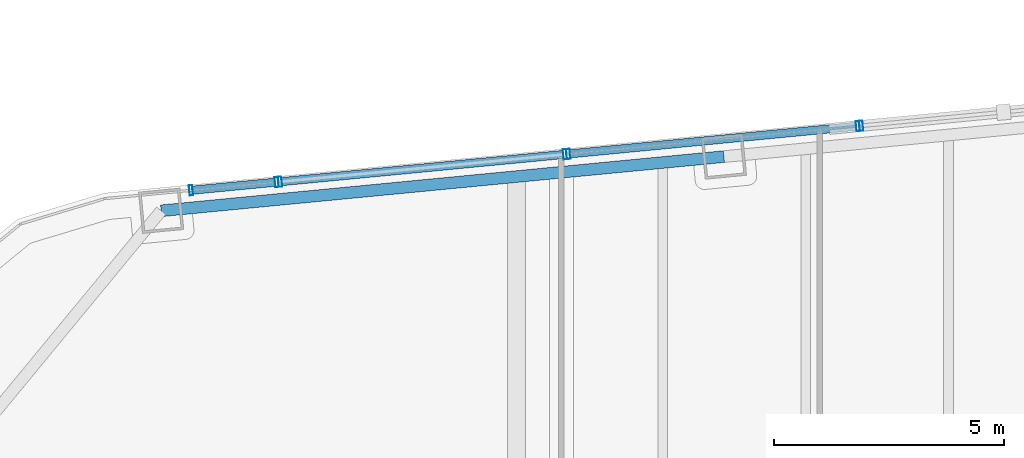
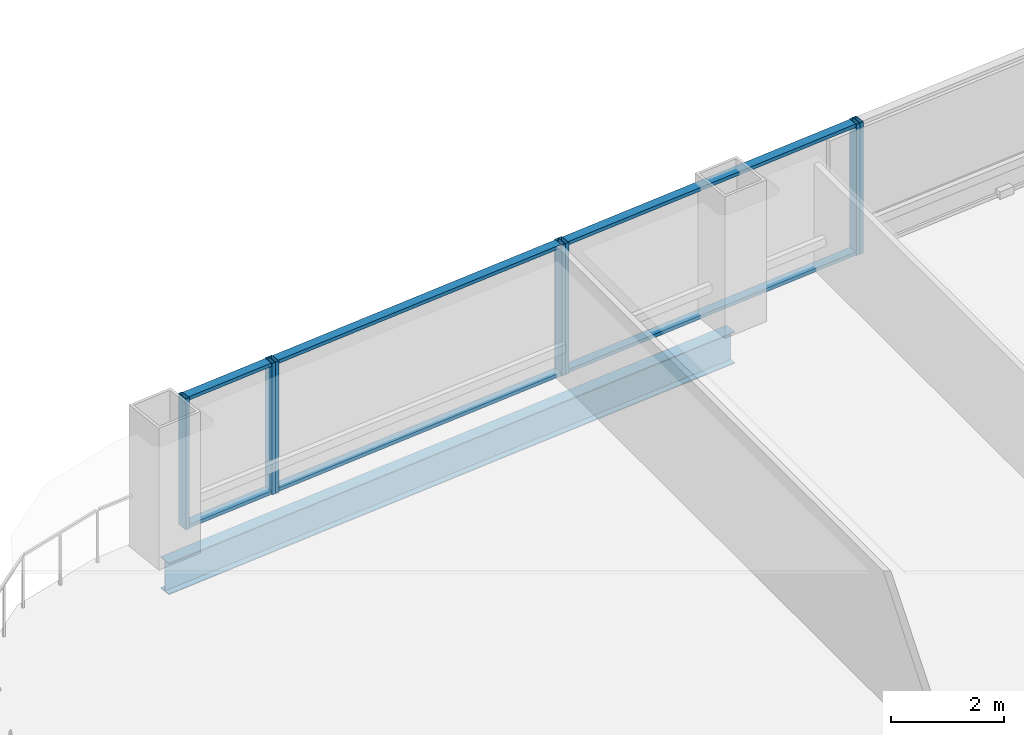
# One storey, part 22 of 34: 13 members, 1 beam, 4 elements without a shape of their own.
"""IFC4 building model written with IfcOpenShell, lengths in metres."""

from ifc_helpers import new_model, si_unit, direction, frame, origin, origin_2d, place, context, subcontext, project, spatial, hollow_rectangle, i_section, extrude, material, layer, layer_set, material_profile, profile_set, type_object, element, aggregate, save


model = new_model("IFC4")

# Units and contexts
model_context = context("Model", 3, precision=1e-05, world=origin(), true_north=direction((0.0, 1.0)))
body_context = subcontext(model_context, "Body", "Model", "MODEL_VIEW")
ifc_project = project(units=[si_unit("LENGTHUNIT", "METRE"), si_unit("AREAUNIT", "SQUARE_METRE"), si_unit("VOLUMEUNIT", "CUBIC_METRE"), si_unit("PLANEANGLEUNIT", "RADIAN"), si_unit("MASSUNIT", "GRAM", prefix="KILO")], contexts=[model_context])

# Site, building, storey
site_placement = place(None, origin())
site = spatial("IfcSite", under=ifc_project, at=site_placement, CompositionType="ELEMENT")
building_placement = place(site_placement, origin())
building = spatial("IfcBuilding", under=site, at=building_placement, Name="Qhalaya Broadcast Tower", CompositionType="ELEMENT")
storey_placement = place(building_placement, frame((0.0, 0.0, 78.60009765625)))
storey = spatial("IfcBuildingStorey", under=building, at=storey_placement, Name="L22", CompositionType="ELEMENT", Elevation=78.60009765625)

# Beam
ifc_material_1 = material(Name="Structural Steel ASTM A992 Grade 50", Category="steel")
ifc_material_profile_1 = material_profile(ifc_material_1, i_section(OverallWidth=0.25390625, OverallDepth=0.68310546875, WebThickness=0.012451171875, FlangeThickness=0.01904296875, at=origin_2d()), Name="W27X94")
ifc_profile_set_1 = profile_set([ifc_material_profile_1], Name="Structural Steel ASTM A992 Grade 50")
beam_type = type_object("IfcBeamType", Name="Perimeter Ring Spandrel Beam SP1", PredefinedType="SPANDREL", material=ifc_profile_set_1)
beam_placement = place(storey_placement, frame((-4.875, 26.941162109375, -0.5615234375), z_axis=(-0.99539563662, -0.095851586307, 0.0), x_axis=(0.095851586307, -0.99539563662, 0.0)))
element("IfcBeam", 1, at=beam_placement, inside=storey, type_object=beam_type, Name="L22 SP1 L22-SPR-11", PredefinedType="SPANDREL", context=body_context, shape_type="SweptSolid", body=[
    extrude(i_section(OverallWidth=0.25390625, OverallDepth=0.68310546875, WebThickness=0.012451171875, FlangeThickness=0.01904296875, at=origin_2d()), origin(), (0.0, 0.0, 1.0), 12.2666015625),
])

# Curtain wall, member
ifc_material_2 = material(Name="Fired Architectural Terracotta", Category="masonry")
ifc_layer_1 = layer(ifc_material_2, 0.219970703125, Name="Fired Architectural Terracotta")
ifc_layer_set_1 = layer_set([ifc_layer_1], Name="Fired Architectural Terracotta")
curtain_wall_type_1 = type_object("IfcCurtainWallType", Name="Block-Cap Unitised Terracotta Spandrel Wall CW-07", PredefinedType="NOTDEFINED", material=ifc_layer_set_1)
curtain_wall_1_placement = place(storey_placement, origin())
curtain_wall_1 = element("IfcCurtainWall", 2, at=curtain_wall_1_placement, inside=storey, type_object=curtain_wall_type_1, Name="L22 Unitised Curtain Wall L22-CW-N4", PredefinedType="NOTDEFINED")
ifc_material_3 = material(Name="Anodised Aluminium 6063-T6", Category="aluminium")
ifc_material_profile_2 = material_profile(ifc_material_3, hollow_rectangle(XDim=0.074951171875, YDim=0.219970703125, WallThickness=0.00390625, at=origin_2d()), Name="ALU-MUL 75x220x4")
ifc_profile_set_2 = profile_set([ifc_material_profile_2], Name="Anodised Aluminium 6063-T6")
member_type_1 = type_object("IfcMemberType", Name="Unitised Curtain-Wall Mullion M01", PredefinedType="MULLION", material=ifc_profile_set_2)
member_1_placement = place(storey_placement, frame((-1.8955078125, 27.60986328125, 0.0), z_axis=(0.0, 0.0, 1.0), x_axis=(-0.995394756218, -0.095860728627, 0.0)))
member_1 = element("IfcMember", 3, at=member_1_placement, type_object=member_type_1, Name="CW-07 mullion 2", PredefinedType="MULLION", context=body_context, shape_type="SweptSolid", body=[
    extrude(hollow_rectangle(XDim=0.074951171875, YDim=0.219970703125, WallThickness=0.00390625, at=origin_2d()), origin(), (0.0, 0.0, 1.0), 2.829833984375),
])
aggregate(curtain_wall_1, [member_1])

# Curtain wall, members
ifc_material_4 = material(Name="Solar-Control Low-E Triple Glazing", Category="glass")
ifc_layer_2 = layer(ifc_material_4, 0.219970703125, Name="Solar-Control Low-E Triple Glazing")
ifc_layer_set_2 = layer_set([ifc_layer_2], Name="Solar-Control Low-E Triple Glazing")
curtain_wall_type_2 = type_object("IfcCurtainWallType", Name="Even-Block 4-Storey Double-Module Curtain Wall CW-03", PredefinedType="NOTDEFINED", material=ifc_layer_set_2)
curtain_wall_2_placement = place(storey_placement, origin())
curtain_wall_2 = element("IfcCurtainWall", 4, at=curtain_wall_2_placement, inside=storey, type_object=curtain_wall_type_2, Name="L22 Unitised Curtain Wall L22-CW-N5", PredefinedType="NOTDEFINED")
member_2_placement = place(storey_placement, frame((-1.97021484375, 27.6025390625, 0.0), z_axis=(0.0, 0.0, 1.0), x_axis=(-0.99539731409, -0.095834164588, 0.0)))
member_2 = element("IfcMember", 5, at=member_2_placement, type_object=member_type_1, Name="CW-03 mullion 1", PredefinedType="MULLION", context=body_context, shape_type="SweptSolid", body=[
    extrude(hollow_rectangle(XDim=0.074951171875, YDim=0.219970703125, WallThickness=0.00390625, at=origin_2d()), origin(), (0.0, 0.0, 1.0), 2.829833984375),
])
member_3_placement = place(storey_placement, frame((-8.2509765625, 26.997802734375, 0.0), z_axis=(0.0, 0.0, 1.0), x_axis=(-0.99539731409, -0.095834164588, 0.0)))
member_3 = element("IfcMember", 6, at=member_3_placement, type_object=member_type_1, Name="CW-03 mullion 2", PredefinedType="MULLION", context=body_context, shape_type="SweptSolid", body=[
    extrude(hollow_rectangle(XDim=0.074951171875, YDim=0.219970703125, WallThickness=0.00390625, at=origin_2d()), origin(), (0.0, 0.0, 1.0), 2.829833984375),
])

curtain_wall_3_placement = place(storey_placement, origin())
curtain_wall_3 = element("IfcCurtainWall", 7, at=curtain_wall_3_placement, inside=storey, type_object=curtain_wall_type_1, Name="L22 Unitised Curtain Wall L22-CW-N6", PredefinedType="NOTDEFINED")
member_4_placement = place(storey_placement, frame((-8.32568359375, 26.99072265625, 0.0), z_axis=(0.0, 0.0, 1.0), x_axis=(-0.995394812364, -0.095860145627, 0.0)))
member_4 = element("IfcMember", 8, at=member_4_placement, type_object=member_type_1, Name="CW-07 mullion 1", PredefinedType="MULLION", context=body_context, shape_type="SweptSolid", body=[
    extrude(hollow_rectangle(XDim=0.074951171875, YDim=0.219970703125, WallThickness=0.00390625, at=origin_2d()), origin(), (0.0, 0.0, 1.0), 2.829833984375),
])
member_5_placement = place(storey_placement, frame((-14.503173828125, 26.395751953125, 0.0), z_axis=(0.0, 0.0, 1.0), x_axis=(-0.995394812364, -0.095860145627, 0.0)))
member_5 = element("IfcMember", 9, at=member_5_placement, type_object=member_type_1, Name="CW-07 mullion 2", PredefinedType="MULLION", context=body_context, shape_type="SweptSolid", body=[
    extrude(hollow_rectangle(XDim=0.074951171875, YDim=0.219970703125, WallThickness=0.00390625, at=origin_2d()), origin(), (0.0, 0.0, 1.0), 2.829833984375),
])

curtain_wall_4_placement = place(storey_placement, origin())
curtain_wall_4 = element("IfcCurtainWall", 10, at=curtain_wall_4_placement, inside=storey, type_object=curtain_wall_type_2, Name="L22 Unitised Curtain Wall L22-CW-N7", PredefinedType="NOTDEFINED")
member_6_placement = place(storey_placement, frame((-14.577880859375, 26.388671875, 0.0), z_axis=(0.0, 0.0, 1.0), x_axis=(-0.99539780127, -0.095829104278, 0.0)))
member_6 = element("IfcMember", 11, at=member_6_placement, type_object=member_type_1, Name="CW-03 mullion 1", PredefinedType="MULLION", context=body_context, shape_type="SweptSolid", body=[
    extrude(hollow_rectangle(XDim=0.074951171875, YDim=0.219970703125, WallThickness=0.00390625, at=origin_2d()), origin(), (0.0, 0.0, 1.0), 2.829833984375),
])
member_7_placement = place(storey_placement, frame((-16.437255859375, 26.20947265625, 0.0), z_axis=(0.0, 0.0, 1.0), x_axis=(-0.99539780127, -0.095829104278, 0.0)))
member_7 = element("IfcMember", 12, at=member_7_placement, type_object=member_type_1, Name="CW-03 mullion 2", PredefinedType="MULLION", context=body_context, shape_type="SweptSolid", body=[
    extrude(hollow_rectangle(XDim=0.074951171875, YDim=0.219970703125, WallThickness=0.00390625, at=origin_2d()), origin(), (0.0, 0.0, 1.0), 2.829833984375),
])

# Member
ifc_material_profile_3 = material_profile(ifc_material_3, hollow_rectangle(XDim=0.074951171875, YDim=0.179931640625, WallThickness=0.00390625, at=origin_2d()), Name="ALU-TRN 75x180x4")
ifc_profile_set_3 = profile_set([ifc_material_profile_3], Name="Anodised Aluminium 6063-T6")
member_type_2 = type_object("IfcMemberType", Name="Unitised Curtain-Wall Transom T01", PredefinedType="USERDEFINED", material=ifc_profile_set_3)
member_8_placement = place(storey_placement, frame((-2.007568359375, 27.59912109375, 0.037353515625), z_axis=(-0.995395316305, -0.095854912644, 0.0), x_axis=(0.0, 0.0, 1.0)))
member_8 = element("IfcMember", 13, at=member_8_placement, type_object=member_type_2, Name="CW-03 transom 1.1", ObjectType="TRANSOM", PredefinedType="USERDEFINED", context=body_context, shape_type="SweptSolid", body=[
    extrude(hollow_rectangle(XDim=0.074951171875, YDim=0.179931640625, WallThickness=0.00390625, at=origin_2d()), origin(), (0.0, 0.0, 1.0), 6.235107421875),
])

member_9_placement = place(storey_placement, frame((-2.007568359375, 27.59912109375, 2.79248046875), z_axis=(-0.995395316305, -0.095854912644, 0.0), x_axis=(0.0, 0.0, 1.0)))
member_9 = element("IfcMember", 14, at=member_9_placement, type_object=member_type_2, Name="CW-03 transom 1.2", ObjectType="TRANSOM", PredefinedType="USERDEFINED", context=body_context, shape_type="SweptSolid", body=[
    extrude(hollow_rectangle(XDim=0.074951171875, YDim=0.179931640625, WallThickness=0.00390625, at=origin_2d()), origin(), (0.0, 0.0, 1.0), 6.235107421875),
])

aggregate(curtain_wall_2, [member_2, member_3, member_8, member_9])

member_10_placement = place(storey_placement, frame((-8.363037109375, 26.987060546875, 0.037353515625), z_axis=(-0.995395960306, -0.095848224845, 0.0), x_axis=(0.0, 0.0, 1.0)))
member_10 = element("IfcMember", 15, at=member_10_placement, type_object=member_type_2, Name="CW-07 transom 1.1", ObjectType="TRANSOM", PredefinedType="USERDEFINED", context=body_context, shape_type="SweptSolid", body=[
    extrude(hollow_rectangle(XDim=0.074951171875, YDim=0.179931640625, WallThickness=0.00390625, at=origin_2d()), origin(), (0.0, 0.0, 1.0), 6.131103515625),
])

member_11_placement = place(storey_placement, frame((-8.363037109375, 26.987060546875, 2.79248046875), z_axis=(-0.995395960306, -0.095848224845, 0.0), x_axis=(0.0, 0.0, 1.0)))
member_11 = element("IfcMember", 16, at=member_11_placement, type_object=member_type_2, Name="CW-07 transom 1.2", ObjectType="TRANSOM", PredefinedType="USERDEFINED", context=body_context, shape_type="SweptSolid", body=[
    extrude(hollow_rectangle(XDim=0.074951171875, YDim=0.179931640625, WallThickness=0.00390625, at=origin_2d()), origin(), (0.0, 0.0, 1.0), 6.131103515625),
])

aggregate(curtain_wall_3, [member_4, member_5, member_10, member_11])

member_12_placement = place(storey_placement, frame((-14.615234375, 26.385009765625, 0.037353515625), z_axis=(-0.995394547598, -0.095862894871, 0.0), x_axis=(0.0, 0.0, 1.0)))
member_12 = element("IfcMember", 17, at=member_12_placement, type_object=member_type_2, Name="CW-03 transom 1.1", ObjectType="TRANSOM", PredefinedType="USERDEFINED", context=body_context, shape_type="SweptSolid", body=[
    extrude(hollow_rectangle(XDim=0.074951171875, YDim=0.179931640625, WallThickness=0.00390625, at=origin_2d()), origin(), (0.0, 0.0, 1.0), 1.79296875),
])

member_13_placement = place(storey_placement, frame((-14.615234375, 26.385009765625, 2.79248046875), z_axis=(-0.995394547598, -0.095862894871, 0.0), x_axis=(0.0, 0.0, 1.0)))
member_13 = element("IfcMember", 18, at=member_13_placement, type_object=member_type_2, Name="CW-03 transom 1.2", ObjectType="TRANSOM", PredefinedType="USERDEFINED", context=body_context, shape_type="SweptSolid", body=[
    extrude(hollow_rectangle(XDim=0.074951171875, YDim=0.179931640625, WallThickness=0.00390625, at=origin_2d()), origin(), (0.0, 0.0, 1.0), 1.79296875),
])

aggregate(curtain_wall_4, [member_6, member_7, member_12, member_13])

save(model, "model.ifc")
